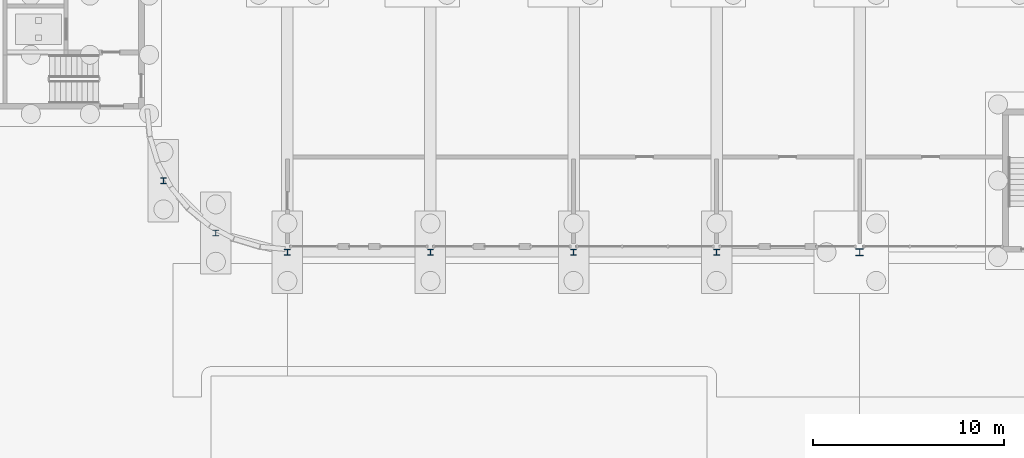
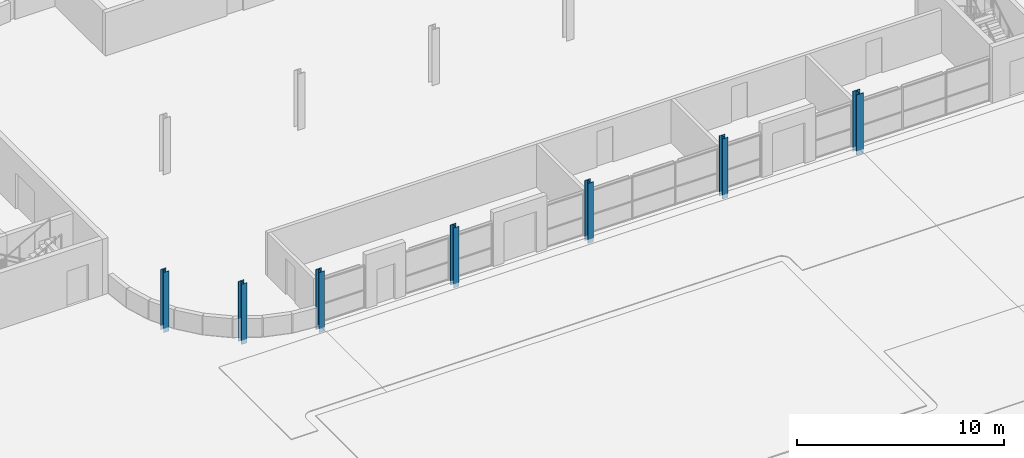
# One storey, part 22 of 130: 7 columns.
"""IFC4 building model written with IfcOpenShell, lengths in metres."""

from ifc_helpers import new_model, si_unit, direction, frame, origin, origin_2d, place, context, subcontext, project, spatial, i_section, extrude, material, material_profile, profile_set, type_object, element, save


model = new_model("IFC4")

# Units and contexts
model_context = context("Model", 3, precision=1e-05, world=origin(), true_north=direction((0.0, 1.0)))
body_context = subcontext(model_context, "Body", "Model", "MODEL_VIEW")
ifc_project = project(units=[si_unit("LENGTHUNIT", "METRE"), si_unit("AREAUNIT", "SQUARE_METRE"), si_unit("VOLUMEUNIT", "CUBIC_METRE"), si_unit("PLANEANGLEUNIT", "RADIAN"), si_unit("MASSUNIT", "GRAM", prefix="KILO")], contexts=[model_context])

# Site, building, storey
site_placement = place(None, origin())
site = spatial("IfcSite", under=ifc_project, at=site_placement, CompositionType="ELEMENT")
building_placement = place(site_placement, origin())
building = spatial("IfcBuilding", under=site, at=building_placement, Name="Parallax Yard Mobility Hub", CompositionType="ELEMENT")
storey_placement = place(building_placement, origin())
storey = spatial("IfcBuildingStorey", under=building, at=storey_placement, Name="L00", CompositionType="ELEMENT", Elevation=0.0)

# Columns
ifc_material = material(Name="Steel ASTM A992", Category="steel")
ifc_material_profile_1 = material_profile(ifc_material, i_section(OverallWidth=0.306884765625, OverallDepth=0.318115234375, WebThickness=0.01318359375, FlangeThickness=0.0205078125, FilletRadius=0.01513671875, at=origin_2d()), Name="W310x129")
ifc_profile_set_1 = profile_set([ifc_material_profile_1], Name="Steel ASTM A992")
column_type_1 = type_object("IfcColumnType", Name="W310x129 column", PredefinedType="COLUMN", material=ifc_profile_set_1)
for number, where, z_axis, x_axis, name in (
    (1, (37.5, 112.5, -0.25), (0.0, 0.0, 1.0), (1.0, 0.0, 0.0), "Column C3 level L00 at R/6 of ramped parking decks"),
    (2, (45.0, 112.5, -0.25), (0.0, 0.0, 1.0), (1.0, 0.0, 0.0), "Column C3 level L00 at R/7 of ramped parking decks"),
    (3, (52.5, 112.5, -0.25), (0.0, 0.0, 1.0), (1.0, 0.0, 0.0), "Column C3 level L00 at R/8 of ramped parking decks"),
):
    element("IfcColumn", number, at=place(storey_placement, frame(where, z_axis=z_axis, x_axis=x_axis)), inside=storey, type_object=column_type_1, Name=name, PredefinedType="COLUMN", context=body_context, shape_type="SweptSolid", body=[
        extrude(i_section(OverallWidth=0.306884765625, OverallDepth=0.318115234375, WebThickness=0.01318359375, FlangeThickness=0.0205078125, FilletRadius=0.01513671875, at=origin_2d()), origin(), (0.0, 0.0, 1.0), 3.550048828125),
    ])
ifc_material_profile_2 = material_profile(ifc_material, i_section(OverallWidth=0.31005859375, OverallDepth=0.327880859375, WebThickness=0.015380859375, FlangeThickness=0.025146484375, FilletRadius=0.015380859375, at=origin_2d()), Name="W310x158")
ifc_profile_set_2 = profile_set([ifc_material_profile_2], Name="Steel ASTM A992")
column_type_2 = type_object("IfcColumnType", Name="W310x158 column", PredefinedType="COLUMN", material=ifc_profile_set_2)
column_1_placement = place(storey_placement, frame((30.0, 112.5, -0.25), z_axis=(0.0, 0.0, 1.0), x_axis=(1.0, 0.0, 0.0)))
element("IfcColumn", 4, at=column_1_placement, inside=storey, type_object=column_type_2, Name="Column C6 level L00 at R/5 of ramped parking decks", PredefinedType="COLUMN", context=body_context, shape_type="SweptSolid", body=[
    extrude(i_section(OverallWidth=0.31005859375, OverallDepth=0.327880859375, WebThickness=0.015380859375, FlangeThickness=0.025146484375, FilletRadius=0.015380859375, at=origin_2d()), origin(), (0.0, 0.0, 1.0), 3.550048828125),
])
ifc_material_profile_3 = material_profile(ifc_material, i_section(OverallWidth=0.304931640625, OverallDepth=0.306884765625, WebThickness=0.010009765625, FlangeThickness=0.015380859375, FilletRadius=0.01513671875, at=origin_2d()), Name="W310x97")
ifc_profile_set_3 = profile_set([ifc_material_profile_3], Name="Steel ASTM A992")
column_type_3 = type_object("IfcColumnType", Name="W310x97 column", PredefinedType="COLUMN", material=ifc_profile_set_3)
for number, where, z_axis, x_axis, name in (
    (5, (23.5048828125, 116.25, -0.25), (0.0, 0.0, 1.0), (1.0, 0.0, 0.0), "Column C1 level L00 at W-S1 of ramped parking decks"),
    (6, (26.25, 113.5048828125, -0.25), (0.0, 0.0, 1.0), (1.0, 0.0, 0.0), "Column C1 level L00 at W-S2 of ramped parking decks"),
):
    element("IfcColumn", number, at=place(storey_placement, frame(where, z_axis=z_axis, x_axis=x_axis)), inside=storey, type_object=column_type_3, Name=name, PredefinedType="COLUMN", context=body_context, shape_type="SweptSolid", body=[
        extrude(i_section(OverallWidth=0.304931640625, OverallDepth=0.306884765625, WebThickness=0.010009765625, FlangeThickness=0.015380859375, FilletRadius=0.01513671875, at=origin_2d()), origin(), (0.0, 0.0, 1.0), 3.550048828125),
    ])
ifc_material_profile_4 = material_profile(ifc_material, i_section(OverallWidth=0.39404296875, OverallDepth=0.3759765625, WebThickness=0.017333984375, FlangeThickness=0.027587890625, FilletRadius=0.01513671875, at=origin_2d()), Name="W360x216")
ifc_profile_set_4 = profile_set([ifc_material_profile_4], Name="Steel ASTM A992")
column_type_4 = type_object("IfcColumnType", Name="W360x216 column", PredefinedType="COLUMN", material=ifc_profile_set_4)
column_2_placement = place(storey_placement, frame((60.0, 112.5, -0.25), z_axis=(0.0, 0.0, 1.0), x_axis=(1.0, 0.0, 0.0)))
element("IfcColumn", 7, at=column_2_placement, inside=storey, type_object=column_type_4, Name="Column C9 level L00 at R/9 of ramped parking decks", PredefinedType="COLUMN", context=body_context, shape_type="SweptSolid", body=[
    extrude(i_section(OverallWidth=0.39404296875, OverallDepth=0.3759765625, WebThickness=0.017333984375, FlangeThickness=0.027587890625, FilletRadius=0.01513671875, at=origin_2d()), origin(), (0.0, 0.0, 1.0), 3.550048828125),
])

save(model, "model.ifc")
